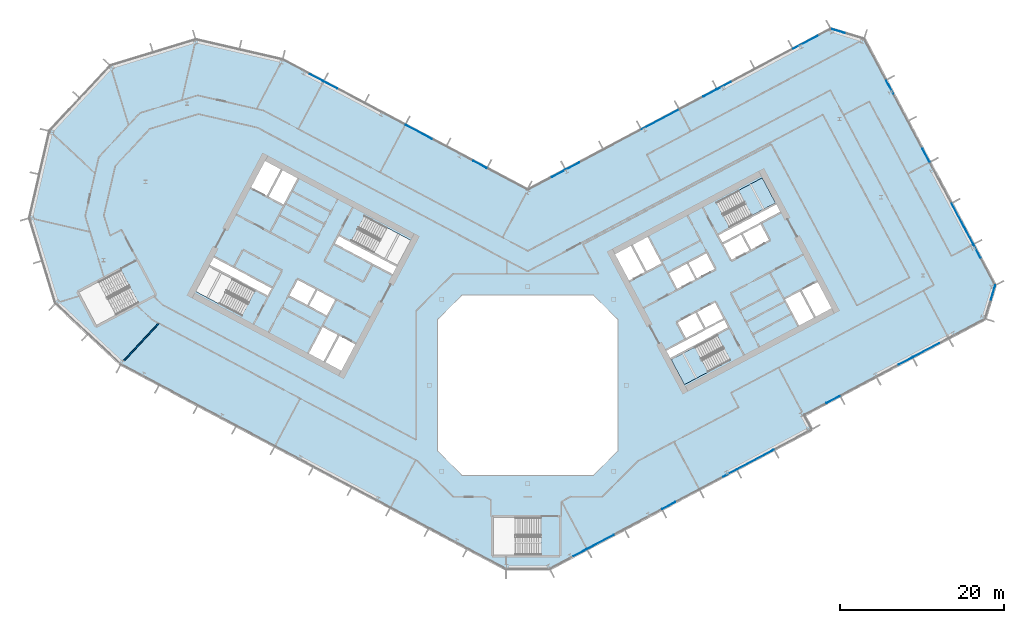
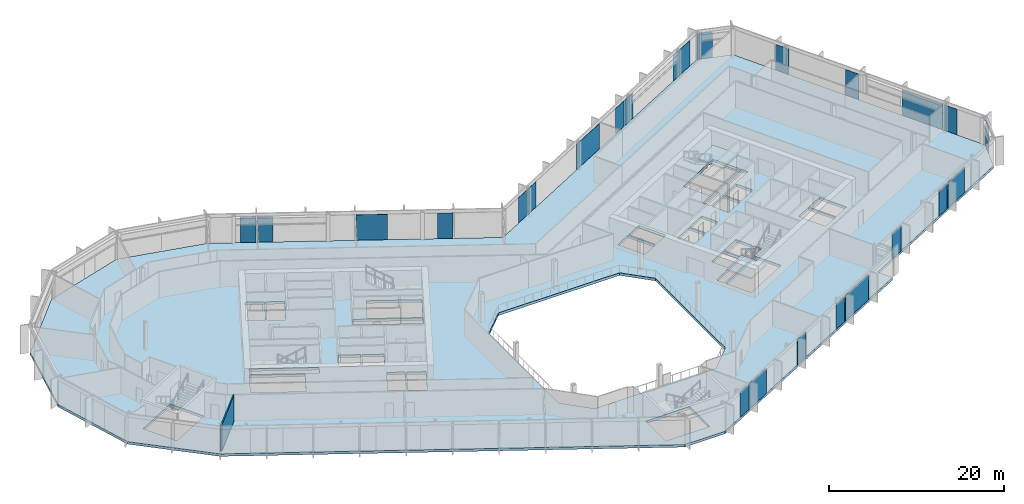
# One storey, part 12 of 28: 24 plates, 3 slabs, 1 wall, 9 elements without a shape of their own.
"""IFC4 building model written with IfcOpenShell, lengths in metres."""

import ifcopenshell
import ifcopenshell.guid

model = None  # the IFC model being written
_history = None  # IfcOwnerHistory: only IFC2X3 demands one
_inside = {}  # id of a spatial element -> (the spatial element, [elements in it])
_under = {}  # id of a project, library or spatial element -> (it, [spatial elements below it])
_declared = {}  # id of a project -> (the project, [libraries it declares])
_typed = {}  # id of a type object -> (the type object, [elements of that type])
_made_of = {}  # id of a material, layer set ... -> (it, [elements and type objects made of it])


def new_model(schema):
    """Start an empty IFC model of exactly this schema.

    Asked for "IFC4X3", IfcOpenShell would pick the latest addendum, in which some entities
    have other attributes; the version numbers below select the first issue.
    IFC2X3 requires an IfcOwnerHistory on every rooted entity: one is made here for all.
    """
    global model, _history
    if schema == "IFC4X3":
        model = ifcopenshell.file(schema_version=(4, 3, 0, 0))
    else:
        model = ifcopenshell.file(schema=schema)
    _inside.clear()
    _under.clear()
    _declared.clear()
    _typed.clear()
    _made_of.clear()
    _history = None
    if model.schema == "IFC2X3":
        org = make("IfcOrganization", Name="unknown")
        user = make(
            "IfcPersonAndOrganization",
            ThePerson=make("IfcPerson", FamilyName="unknown"),
            TheOrganization=org,
        )
        app = make(
            "IfcApplication",
            ApplicationDeveloper=org,
            Version="unknown",
            ApplicationFullName="unknown",
            ApplicationIdentifier="unknown",
        )
        _history = make(
            "IfcOwnerHistory",
            OwningUser=user,
            OwningApplication=app,
            ChangeAction="ADDED",
            CreationDate=0,
        )
    return model


def make(cls, **values):
    """One entity of the class cls with the attributes given. An attribute that is None is left unset."""
    return model.create_entity(
        cls, **{name: value for name, value in values.items() if value is not None}
    )


def rooted(cls, **values):
    """An entity with a GlobalId (a new one), such as an element, a storey or a relation."""
    return make(cls, GlobalId=ifcopenshell.guid.new(), OwnerHistory=_history, **values)


def si_unit(unit_type, name, prefix=None):
    """IfcSIUnit, for example si_unit("LENGTHUNIT", "METRE", prefix="MILLI")."""
    return make("IfcSIUnit", UnitType=unit_type, Prefix=prefix, Name=name)


def assignment(units):
    """IfcUnitAssignment: the units of a project."""
    return None if units is None else make("IfcUnitAssignment", Units=units)


def point(xyz):
    """IfcCartesianPoint."""
    return None if xyz is None else make("IfcCartesianPoint", Coordinates=xyz)


def direction(xyz):
    """IfcDirection."""
    return None if xyz is None else make("IfcDirection", DirectionRatios=xyz)


def frame(location, z_axis=None, x_axis=None):
    """IfcAxis2Placement3D, a coordinate frame: its origin and axes. An axis left out is left unset."""
    return make(
        "IfcAxis2Placement3D",
        Location=point(location),
        Axis=direction(z_axis),
        RefDirection=direction(x_axis),
    )


def frame_2d(location, x_axis=None):
    """IfcAxis2Placement2D, a coordinate frame in the plane: its origin and x axis."""
    return make(
        "IfcAxis2Placement2D", Location=point(location), RefDirection=direction(x_axis)
    )


def origin():
    """The frame at (0, 0, 0) with its axes left unset."""
    return frame((0.0, 0.0, 0.0))


def origin_2d():
    """The frame at (0, 0) in the plane with its x axis left unset."""
    return frame_2d((0.0, 0.0))


def place(relative_to, where):
    """IfcLocalPlacement: puts the frame where relative to a parent placement (None: the world)."""
    return make(
        "IfcLocalPlacement", PlacementRelTo=relative_to, RelativePlacement=where
    )


def context(
    kind, dimensions, precision=None, world=None, true_north=None, identifier=None
):
    """IfcGeometricRepresentationContext, for example the 3D "Model" context."""
    return make(
        "IfcGeometricRepresentationContext",
        ContextIdentifier=identifier,
        ContextType=kind,
        CoordinateSpaceDimension=dimensions,
        Precision=precision,
        WorldCoordinateSystem=world,
        TrueNorth=true_north,
    )


def subcontext(parent, identifier, kind, view, scale=None):
    """IfcGeometricRepresentationSubContext, for example "Body" below "Model"."""
    return make(
        "IfcGeometricRepresentationSubContext",
        ContextIdentifier=identifier,
        ContextType=kind,
        ParentContext=parent,
        TargetScale=scale,
        TargetView=view,
    )


def project(units=None, contexts=None):
    """IfcProject with its units and contexts."""
    return rooted(
        "IfcProject",
        Name="project",
        RepresentationContexts=contexts,
        UnitsInContext=assignment(units),
    )


def spatial(cls, under=None, at=None, **own):
    """A site, building, storey or space (cls), placed at a placement, below another one or the project."""
    s = rooted(cls, ObjectPlacement=at, **own)
    if under is not None:
        _under.setdefault(under.id(), (under, []))[1].append(s)
    return s


def polyline(points):
    """IfcPolyline through the points."""
    return make("IfcPolyline", Points=[point(p) for p in points])


def profile(cls, at=None, kind="AREA", **sizes):
    """A parametric profile (cls). Its sizes go by their IFC names, for example OverallWidth=200.0."""
    return make(cls, ProfileType=kind, Position=at, **sizes)


def rectangle(**sizes):
    """IfcRectangleProfileDef."""
    return profile("IfcRectangleProfileDef", **sizes)


def outline(outer, holes=None, kind="AREA"):
    """IfcArbitraryClosedProfileDef: a profile drawn as a closed curve; with holes, ...WithVoids."""
    if holes is None:
        return make("IfcArbitraryClosedProfileDef", ProfileType=kind, OuterCurve=outer)
    return make(
        "IfcArbitraryProfileDefWithVoids",
        ProfileType=kind,
        OuterCurve=outer,
        InnerCurves=holes,
    )


def extrude(swept, where, along, depth):
    """IfcExtrudedAreaSolid: the profile swept, set in the frame where, extruded along a direction by depth."""
    return make(
        "IfcExtrudedAreaSolid",
        SweptArea=swept,
        Position=where,
        ExtrudedDirection=direction(along),
        Depth=depth,
    )


def shape(context_of_items, identifier, shape_type, items):
    """IfcShapeRepresentation: the items that make up one representation, for example the "Body"."""
    return make(
        "IfcShapeRepresentation",
        ContextOfItems=context_of_items,
        RepresentationIdentifier=identifier,
        RepresentationType=shape_type,
        Items=items,
    )


def material(Name=None, Category=None):
    """IfcMaterial."""
    return make("IfcMaterial", Name=Name, Category=Category)


def layer(
    of_material, thickness, ventilated=None, Name=None, Category=None, Priority=None
):
    """IfcMaterialLayer: one layer of a wall or slab, of a material (None: an air gap)."""
    return make(
        "IfcMaterialLayer",
        Material=of_material,
        LayerThickness=thickness,
        IsVentilated=ventilated,
        Name=Name,
        Category=Category,
        Priority=Priority,
    )


def layer_set(layers, Name=None):
    """IfcMaterialLayerSet."""
    return make("IfcMaterialLayerSet", MaterialLayers=layers, LayerSetName=Name)


def made_of(thing, what):
    """Note that an element or type object is made of a material, layer set ...; save() writes the relation."""
    if what is not None:
        _made_of.setdefault(what.id(), (what, []))[1].append(thing)
    return thing


def type_object(cls, material=None, **own):
    """A type object (cls), such as IfcWallType, which elements share."""
    return made_of(rooted(cls, **own), material)


def element(
    cls,
    number,
    at=None,
    inside=None,
    cuts=None,
    type_object=None,
    material=None,
    context=None,
    identifier="Body",
    shape_type=None,
    held_by="IfcProductDefinitionShape",
    body=None,
    shapes=None,
    **own,
):
    """One element of the class cls, such as IfcWall. Its Tag is "e" and its number.

    at: its placement. inside: the storey or other place that contains it. cuts: it is an
    opening in that element (IfcRelVoidsElement). A single representation is given by context,
    identifier, shape_type and body (its items); several are given by shapes. held_by: the class
    of the entity that holds the representations. save() writes the other relations.
    """
    e = rooted(cls, Tag="e%d" % number, ObjectPlacement=at, **own)
    if body is not None:
        shapes = [shape(context, identifier, shape_type, body)]
    if shapes is not None:
        e.Representation = make(held_by, Representations=shapes)
    if inside is not None:
        _inside.setdefault(inside.id(), (inside, []))[1].append(e)
    if cuts is not None:
        rooted(
            "IfcRelVoidsElement", RelatingBuildingElement=cuts, RelatedOpeningElement=e
        )
    if type_object is not None:
        _typed.setdefault(type_object.id(), (type_object, []))[1].append(e)
    return made_of(e, material)


def aggregate(whole, parts):
    """IfcRelAggregates: a whole, such as a stair, and the parts it consists of."""
    return rooted("IfcRelAggregates", RelatingObject=whole, RelatedObjects=parts)


def save(model, path):
    """Write the relations noted so far, then the file.

    IfcRelAggregates (storeys below a building ...), IfcRelContainedInSpatialStructure (elements
    in a storey), IfcRelDefinesByType, IfcRelAssociatesMaterial and IfcRelDeclares: one each for
    every whole, place, type object, material and project.
    """
    for whole, parts in _under.values():
        aggregate(whole, parts)
    for where, things in _inside.values():
        rooted(
            "IfcRelContainedInSpatialStructure",
            RelatedElements=things,
            RelatingStructure=where,
        )
    for kind, things in _typed.values():
        rooted("IfcRelDefinesByType", RelatedObjects=things, RelatingType=kind)
    for what, things in _made_of.values():
        rooted("IfcRelAssociatesMaterial", RelatedObjects=things, RelatingMaterial=what)
    for by, libraries in _declared.values():
        rooted("IfcRelDeclares", RelatingContext=by, RelatedDefinitions=libraries)
    model.write(path)


model = new_model("IFC4")

# Units and contexts
model_context = context("Model", 3, precision=1e-05, world=origin(), true_north=direction((0.0, 1.0)))
body_context = subcontext(model_context, "Body", "Model", "MODEL_VIEW")
ifc_project = project(units=[si_unit("LENGTHUNIT", "METRE"), si_unit("AREAUNIT", "SQUARE_METRE"), si_unit("VOLUMEUNIT", "CUBIC_METRE"), si_unit("PLANEANGLEUNIT", "RADIAN"), si_unit("MASSUNIT", "GRAM", prefix="KILO")], contexts=[model_context])

# Site, building, storey
site_placement = place(None, origin())
site = spatial("IfcSite", under=ifc_project, at=site_placement, CompositionType="ELEMENT")
building_placement = place(site_placement, origin())
building = spatial("IfcBuilding", under=site, at=building_placement, Name="Cormorant Relay Tower", CompositionType="ELEMENT")
storey_placement = place(building_placement, frame((0.0, 0.0, 154.199951171875)))
storey = spatial("IfcBuildingStorey", under=building, at=storey_placement, Name="L32", CompositionType="ELEMENT", Elevation=154.199951171875)

# Curtain wall, plates
ifc_material_1 = material(Name="Aluminium 6063-T6 anodised bronze", Category="aluminium")
ifc_layer_1 = layer(ifc_material_1, 0.199951171875)
ifc_layer_set_1 = layer_set([ifc_layer_1], Name="CW1 unitised bronze curtain wall with vertical fins")
curtain_wall_type = type_object("IfcCurtainWallType", Name="CW1 unitised bronze curtain wall with vertical fins", PredefinedType="NOTDEFINED", material=ifc_layer_set_1)
curtain_wall_1_placement = place(storey_placement, origin())
curtain_wall_1 = element("IfcCurtainWall", 1, at=curtain_wall_1_placement, inside=storey, type_object=curtain_wall_type, Name="CW1 curtain wall 2", PredefinedType="NOTDEFINED")
ifc_material_2 = material(Name="Tinted laminated glass", Category="glass")
ifc_layer_2 = layer(ifc_material_2, 0.0400390625)
ifc_layer_set_2 = layer_set([ifc_layer_2], Name="CW1 tinted vision panel 1800 module")
plate_type_1 = type_object("IfcPlateType", Name="CW1 tinted vision panel 1800 module", PredefinedType="CURTAIN_PANEL", material=ifc_layer_set_2)
plate_1_placement = place(storey_placement, frame((6.359130859375, -20.42529296875, 0.0), z_axis=(0.0, 0.0, 1.0), x_axis=(0.882947592859, 0.469471562786, 0.0)))
plate_1 = element("IfcPlate", 2, at=plate_1_placement, type_object=plate_type_1, Name="CW1 panel V01", PredefinedType="CURTAIN_PANEL", context=body_context, shape_type="SweptSolid", body=[
    extrude(rectangle(XDim=1.800048828125, YDim=0.0400390625, at=origin_2d()), origin(), (0.0, 0.0, 1.0), 3.550048828125),
])
plate_2_placement = place(storey_placement, frame((17.20458984375, -14.65869140625, 0.0), z_axis=(0.0, 0.0, 1.0), x_axis=(0.882947592859, 0.469471562786, 0.0)))
plate_2 = element("IfcPlate", 3, at=plate_2_placement, type_object=plate_type_1, Name="CW1 panel V04", PredefinedType="CURTAIN_PANEL", context=body_context, shape_type="SweptSolid", body=[
    extrude(rectangle(XDim=1.800048828125, YDim=0.0400390625, at=origin_2d()), origin(), (0.0, 0.0, 1.0), 3.550048828125),
])
plate_3_placement = place(storey_placement, frame((24.6064453125, -10.72314453125, 0.0), z_axis=(0.0, 0.0, 1.0), x_axis=(0.882947592859, 0.469471562786, 0.0)))
plate_3 = element("IfcPlate", 4, at=plate_3_placement, type_object=plate_type_1, Name="CW1 panel V06", PredefinedType="CURTAIN_PANEL", context=body_context, shape_type="SweptSolid", body=[
    extrude(rectangle(XDim=1.800048828125, YDim=0.0400390625, at=origin_2d()), origin(), (0.0, 0.0, 1.0), 3.550048828125),
])

curtain_wall_2_placement = place(storey_placement, origin())
curtain_wall_2 = element("IfcCurtainWall", 5, at=curtain_wall_2_placement, inside=storey, type_object=curtain_wall_type, Name="CW1 curtain wall 4", PredefinedType="NOTDEFINED")
plate_4_placement = place(storey_placement, frame((37.205810546875, -1.7587890625, 0.0), z_axis=(0.0, 0.0, 1.0), x_axis=(0.882947592859, 0.469471562786, 0.0)))
plate_4 = element("IfcPlate", 6, at=plate_4_placement, type_object=plate_type_1, Name="CW1 panel V01", PredefinedType="CURTAIN_PANEL", context=body_context, shape_type="SweptSolid", body=[
    extrude(rectangle(XDim=1.800048828125, YDim=0.0400390625, at=origin_2d()), origin(), (0.0, 0.0, 1.0), 3.550048828125),
])
plate_5_placement = place(storey_placement, frame((46.03515625, 2.935791015625, 0.0), z_axis=(0.0, 0.0, 1.0), x_axis=(0.882947592859, 0.469471562786, 0.0)))
plate_5 = element("IfcPlate", 7, at=plate_5_placement, type_object=plate_type_1, Name="CW1 panel V03", PredefinedType="CURTAIN_PANEL", context=body_context, shape_type="SweptSolid", body=[
    extrude(rectangle(XDim=1.800048828125, YDim=0.0400390625, at=origin_2d()), origin(), (0.0, 0.0, 1.0), 3.550048828125),
])

# Curtain wall, plate
curtain_wall_3_placement = place(storey_placement, origin())
curtain_wall_3 = element("IfcCurtainWall", 8, at=curtain_wall_3_placement, inside=storey, type_object=curtain_wall_type, Name="CW1 curtain wall 5", PredefinedType="NOTDEFINED")
plate_6_placement = place(storey_placement, frame((56.712646484375, 11.296630859375, 0.0), z_axis=(0.0, 0.0, 1.0), x_axis=(0.292371704723, 0.956304755963, 0.0)))
plate_6 = element("IfcPlate", 9, at=plate_6_placement, type_object=plate_type_1, Name="CW1 panel V01", PredefinedType="CURTAIN_PANEL", context=body_context, shape_type="SweptSolid", body=[
    extrude(rectangle(XDim=1.800048828125, YDim=0.0400390625, at=origin_2d()), origin(), (0.0, 0.0, 1.0), 3.550048828125),
])
aggregate(curtain_wall_3, [plate_6])

# Curtain wall, plates
curtain_wall_4_placement = place(storey_placement, origin())
curtain_wall_4 = element("IfcCurtainWall", 10, at=curtain_wall_4_placement, inside=storey, type_object=curtain_wall_type, Name="CW1 curtain wall 6", PredefinedType="NOTDEFINED")
plate_7_placement = place(storey_placement, frame((54.771728515625, 16.315185546875, 0.0), z_axis=(0.0, 0.0, 1.0), x_axis=(-0.469471562786, 0.882947592859, 0.0)))
plate_7 = element("IfcPlate", 11, at=plate_7_placement, type_object=plate_type_1, Name="CW1 panel V01", PredefinedType="CURTAIN_PANEL", context=body_context, shape_type="SweptSolid", body=[
    extrude(rectangle(XDim=1.800048828125, YDim=0.0400390625, at=origin_2d()), origin(), (0.0, 0.0, 1.0), 3.550048828125),
])
plate_8_placement = place(storey_placement, frame((48.535400390625, 28.043701171875, 0.0), z_axis=(0.0, 0.0, 1.0), x_axis=(-0.469471562786, 0.882947592859, 0.0)))
plate_8 = element("IfcPlate", 12, at=plate_8_placement, type_object=plate_type_1, Name="CW1 panel V04", PredefinedType="CURTAIN_PANEL", context=body_context, shape_type="SweptSolid", body=[
    extrude(rectangle(XDim=1.800048828125, YDim=0.0400390625, at=origin_2d()), origin(), (0.0, 0.0, 1.0), 3.550048828125),
])
plate_9_placement = place(storey_placement, frame((44.13037109375, 36.32861328125, 0.0), z_axis=(0.0, 0.0, 1.0), x_axis=(-0.469471562786, 0.882947592859, 0.0)))
plate_9 = element("IfcPlate", 13, at=plate_9_placement, type_object=plate_type_1, Name="CW1 panel V06", PredefinedType="CURTAIN_PANEL", context=body_context, shape_type="SweptSolid", body=[
    extrude(rectangle(XDim=1.800048828125, YDim=0.0400390625, at=origin_2d()), origin(), (0.0, 0.0, 1.0), 3.550048828125),
])

# Curtain wall, plate
curtain_wall_5_placement = place(storey_placement, origin())
curtain_wall_5 = element("IfcCurtainWall", 14, at=curtain_wall_5_placement, inside=storey, type_object=curtain_wall_type, Name="CW1 curtain wall 7", PredefinedType="NOTDEFINED")
plate_10_placement = place(storey_placement, frame((37.8037109375, 43.179931640625, 0.0), z_axis=(0.0, 0.0, 1.0), x_axis=(-0.956304755963, 0.292371704723, 0.0)))
plate_10 = element("IfcPlate", 15, at=plate_10_placement, type_object=plate_type_1, Name="CW1 panel V01", PredefinedType="CURTAIN_PANEL", context=body_context, shape_type="SweptSolid", body=[
    extrude(rectangle(XDim=1.800048828125, YDim=0.0400390625, at=origin_2d()), origin(), (0.0, 0.0, 1.0), 3.550048828125),
])
aggregate(curtain_wall_5, [plate_10])

# Curtain wall, plates
curtain_wall_6_placement = place(storey_placement, origin())
curtain_wall_6 = element("IfcCurtainWall", 16, at=curtain_wall_6_placement, inside=storey, type_object=curtain_wall_type, Name="CW1 curtain wall 8", PredefinedType="NOTDEFINED")
plate_11_placement = place(storey_placement, frame((23.937255859375, 36.5341796875, 0.0), z_axis=(0.0, 0.0, 1.0), x_axis=(-0.882947592859, -0.469471562786, 0.0)))
plate_11 = element("IfcPlate", 17, at=plate_11_placement, type_object=plate_type_1, Name="CW1 panel V03", PredefinedType="CURTAIN_PANEL", context=body_context, shape_type="SweptSolid", body=[
    extrude(rectangle(XDim=1.800048828125, YDim=0.0400390625, at=origin_2d()), origin(), (0.0, 0.0, 1.0), 3.550048828125),
])
plate_12_placement = place(storey_placement, frame((22.215576171875, 35.618896484375, 0.0), z_axis=(0.0, 0.0, 1.0), x_axis=(-0.882947592859, -0.469471562786, 0.0)))
plate_12 = element("IfcPlate", 18, at=plate_12_placement, type_object=plate_type_1, Name="CW1 panel V04", PredefinedType="CURTAIN_PANEL", context=body_context, shape_type="SweptSolid", body=[
    extrude(rectangle(XDim=1.800048828125, YDim=0.0400390625, at=origin_2d()), origin(), (0.0, 0.0, 1.0), 3.550048828125),
])
plate_13_placement = place(storey_placement, frame((5.468505859375, 26.71435546875, 0.0), z_axis=(0.0, 0.0, 1.0), x_axis=(-0.882947592859, -0.469471562786, 0.0)))
plate_13 = element("IfcPlate", 19, at=plate_13_placement, type_object=plate_type_1, Name="CW1 panel V08", PredefinedType="CURTAIN_PANEL", context=body_context, shape_type="SweptSolid", body=[
    extrude(rectangle(XDim=1.800048828125, YDim=0.0400390625, at=origin_2d()), origin(), (0.0, 0.0, 1.0), 3.550048828125),
])
plate_14_placement = place(storey_placement, frame((3.746826171875, 25.798828125, 0.0), z_axis=(0.0, 0.0, 1.0), x_axis=(-0.882947592859, -0.469471562786, 0.0)))
plate_14 = element("IfcPlate", 20, at=plate_14_placement, type_object=plate_type_1, Name="CW1 panel V09", PredefinedType="CURTAIN_PANEL", context=body_context, shape_type="SweptSolid", body=[
    extrude(rectangle(XDim=1.800048828125, YDim=0.0400390625, at=origin_2d()), origin(), (0.0, 0.0, 1.0), 3.550048828125),
])

curtain_wall_7_placement = place(storey_placement, origin())
curtain_wall_7 = element("IfcCurtainWall", 21, at=curtain_wall_7_placement, inside=storey, type_object=curtain_wall_type, Name="CW1 curtain wall 9", PredefinedType="NOTDEFINED")
plate_15_placement = place(storey_placement, frame((-5.830322265625, 26.90673828125, 0.0), z_axis=(0.0, 0.0, 1.0), x_axis=(-0.882947592859, 0.469471562786, 0.0)))
plate_15 = element("IfcPlate", 22, at=plate_15_placement, type_object=plate_type_1, Name="CW1 panel V01", PredefinedType="CURTAIN_PANEL", context=body_context, shape_type="SweptSolid", body=[
    extrude(rectangle(XDim=1.800048828125, YDim=0.0400390625, at=origin_2d()), origin(), (0.0, 0.0, 1.0), 3.550048828125),
])
plate_16_placement = place(storey_placement, frame((-24.0244140625, 36.580810546875, 0.0), z_axis=(0.0, 0.0, 1.0), x_axis=(-0.882947592859, 0.469471562786, 0.0)))
plate_16 = element("IfcPlate", 23, at=plate_16_placement, type_object=plate_type_1, Name="CW1 panel V05", PredefinedType="CURTAIN_PANEL", context=body_context, shape_type="SweptSolid", body=[
    extrude(rectangle(XDim=1.800048828125, YDim=0.0400390625, at=origin_2d()), origin(), (0.0, 0.0, 1.0), 3.550048828125),
])
plate_17_placement = place(storey_placement, frame((-25.746337890625, 37.49609375, 0.0), z_axis=(0.0, 0.0, 1.0), x_axis=(-0.882947592859, 0.469471562786, 0.0)))
plate_17 = element("IfcPlate", 24, at=plate_17_placement, type_object=plate_type_1, Name="CW1 panel V06", PredefinedType="CURTAIN_PANEL", context=body_context, shape_type="SweptSolid", body=[
    extrude(rectangle(XDim=1.800048828125, YDim=0.0400390625, at=origin_2d()), origin(), (0.0, 0.0, 1.0), 3.550048828125),
])

# Plate
ifc_material_3 = material(Name="Tinted laminated glass", Category="glass")
ifc_layer_3 = layer(ifc_material_3, 0.0400390625)
ifc_layer_set_3 = layer_set([ifc_layer_3], Name="CW1 tinted vision panel 3600 module")
plate_type_2 = type_object("IfcPlateType", Name="CW1 tinted vision panel 3600 module", PredefinedType="CURTAIN_PANEL", material=ifc_layer_set_3)
plate_18_placement = place(storey_placement, frame((8.87548828125, -19.08740234375, 0.0), z_axis=(0.0, 0.0, 1.0), x_axis=(0.882947592859, 0.469471562786, 0.0)))
plate_18 = element("IfcPlate", 25, at=plate_18_placement, type_object=plate_type_2, Name="CW1 panel V02", PredefinedType="CURTAIN_PANEL", context=body_context, shape_type="SweptSolid", body=[
    extrude(rectangle(XDim=3.60009765625, YDim=0.0400390625, at=origin_2d()), origin(), (0.0, 0.0, 1.0), 3.550048828125),
])

plate_19_placement = place(storey_placement, frame((48.551513671875, 4.27392578125, 0.0), z_axis=(0.0, 0.0, 1.0), x_axis=(0.882947592859, 0.469471562786, 0.0)))
plate_19 = element("IfcPlate", 26, at=plate_19_placement, type_object=plate_type_2, Name="CW1 panel V04", PredefinedType="CURTAIN_PANEL", context=body_context, shape_type="SweptSolid", body=[
    extrude(rectangle(XDim=3.60009765625, YDim=0.0400390625, at=origin_2d()), origin(), (0.0, 0.0, 1.0), 3.550048828125),
])

aggregate(curtain_wall_2, [plate_4, plate_5, plate_19])

plate_20_placement = place(storey_placement, frame((33.96630859375, 41.86669921875, 0.0), z_axis=(0.0, 0.0, 1.0), x_axis=(-0.882947592859, -0.469471562786, 0.0)))
plate_20 = element("IfcPlate", 27, at=plate_20_placement, type_object=plate_type_2, Name="CW1 panel V01", PredefinedType="CURTAIN_PANEL", context=body_context, shape_type="SweptSolid", body=[
    extrude(rectangle(XDim=3.60009765625, YDim=0.0400390625, at=origin_2d()), origin(), (0.0, 0.0, 1.0), 3.550048828125),
])

plate_21_placement = place(storey_placement, frame((-13.27197265625, 30.86328125, 0.0), z_axis=(0.0, 0.0, 1.0), x_axis=(-0.882947592859, 0.469471562786, 0.0)))
plate_21 = element("IfcPlate", 28, at=plate_21_placement, type_object=plate_type_2, Name="CW1 panel V03", PredefinedType="CURTAIN_PANEL", context=body_context, shape_type="SweptSolid", body=[
    extrude(rectangle(XDim=3.60009765625, YDim=0.0400390625, at=origin_2d()), origin(), (0.0, 0.0, 1.0), 3.550048828125),
])

aggregate(curtain_wall_7, [plate_15, plate_21, plate_16, plate_17])

ifc_material_4 = material(Name="Tinted laminated glass", Category="glass")
ifc_layer_4 = layer(ifc_material_4, 0.0400390625)
ifc_layer_set_4 = layer_set([ifc_layer_4], Name="CW1 tinted vision panel 5400 module")
plate_type_3 = type_object("IfcPlateType", Name="CW1 tinted vision panel 5400 module", PredefinedType="CURTAIN_PANEL", material=ifc_layer_set_4)
plate_22_placement = place(storey_placement, frame((27.748046875, -9.052734375, 0.0), z_axis=(0.0, 0.0, 1.0), x_axis=(0.882947592859, 0.469471562786, 0.0)))
plate_22 = element("IfcPlate", 29, at=plate_22_placement, type_object=plate_type_3, Name="CW1 panel V07", PredefinedType="CURTAIN_PANEL", context=body_context, shape_type="SweptSolid", body=[
    extrude(rectangle(XDim=5.0166015625, YDim=0.0400390625, at=origin_2d()), origin(), (0.0, 0.0, 1.0), 3.550048828125),
])

aggregate(curtain_wall_1, [plate_1, plate_18, plate_2, plate_3, plate_22])

plate_23_placement = place(storey_placement, frame((52.98388671875, 19.677734375, 0.0), z_axis=(0.0, 0.0, 1.0), x_axis=(-0.469471562786, 0.882947592859, 0.0)))
plate_23 = element("IfcPlate", 30, at=plate_23_placement, type_object=plate_type_3, Name="CW1 panel V02", PredefinedType="CURTAIN_PANEL", context=body_context, shape_type="SweptSolid", body=[
    extrude(rectangle(XDim=5.5166015625, YDim=0.0400390625, at=origin_2d()), origin(), (0.0, 0.0, 1.0), 3.550048828125),
])

aggregate(curtain_wall_4, [plate_7, plate_23, plate_8, plate_9])

plate_24_placement = place(storey_placement, frame((16.150634765625, 32.39404296875, 0.0), z_axis=(0.0, 0.0, 1.0), x_axis=(-0.882947592859, -0.469471562786, 0.0)))
plate_24 = element("IfcPlate", 31, at=plate_24_placement, type_object=plate_type_3, Name="CW1 panel V06", PredefinedType="CURTAIN_PANEL", context=body_context, shape_type="SweptSolid", body=[
    extrude(rectangle(XDim=5.079345703125, YDim=0.0400390625, at=origin_2d()), origin(), (0.0, 0.0, 1.0), 3.550048828125),
])

aggregate(curtain_wall_6, [plate_20, plate_11, plate_12, plate_24, plate_13, plate_14])

# Stair, slab
ifc_material_5 = material(Name="Concrete 40 MPa", Category="concrete")
stair_type = type_object("IfcStairType", Name="Exit stair 1500", PredefinedType="HALF_TURN_STAIR", material=ifc_material_5)
stair_1_placement = place(storey_placement, origin())
stair_1 = element("IfcStair", 32, at=stair_1_placement, inside=storey, type_object=stair_type, Name="L32 Stair", PredefinedType="HALF_TURN_STAIR")
ifc_material_6 = material(Name="Concrete 40 MPa", Category="concrete")
ifc_layer_5 = layer(ifc_material_6, 0.199951171875)
ifc_layer_set_5 = layer_set([ifc_layer_5], Name="Exit stair landing 200")
slab_type_1 = type_object("IfcSlabType", Name="Exit stair landing 200", PredefinedType="LANDING", material=ifc_layer_set_5)
slab_1_placement = place(storey_placement, frame((0.0, 0.0, 1.800048828125)))
slab_1 = element("IfcSlab", 33, at=slab_1_placement, type_object=slab_type_1, Name="B1 landing 1", PredefinedType="LANDING", context=body_context, shape_type="SweptSolid", body=[
    extrude(outline(polyline([(20.36767578125, 4.6572265625), (17.48046875, 3.1220703125), (19.10009765625, 0.075927734375), (21.9873046875, 1.611083984375), (20.36767578125, 4.6572265625)])), origin(), (0.0, 0.0, 1.0), 0.199951171875),
])
aggregate(stair_1, [slab_1])

stair_2_placement = place(storey_placement, origin())
stair_2 = element("IfcStair", 34, at=stair_2_placement, inside=storey, type_object=stair_type, Name="L32 Stair", PredefinedType="HALF_TURN_STAIR")
slab_2_placement = place(storey_placement, frame((0.0, 0.0, 1.800048828125)))
slab_2 = element("IfcSlab", 35, at=slab_2_placement, type_object=slab_type_1, Name="B2 landing 1", PredefinedType="LANDING", context=body_context, shape_type="SweptSolid", body=[
    extrude(outline(polyline([(27.3115234375, 20.6943359375), (30.19873046875, 22.2294921875), (28.5791015625, 25.275634765625), (25.69189453125, 23.740478515625), (27.3115234375, 20.6943359375)])), origin(), (0.0, 0.0, 1.0), 0.199951171875),
])
aggregate(stair_2, [slab_2])

# Slab
ifc_material_7 = material(Name="Concrete 40 MPa", Category="concrete")
ifc_layer_6 = layer(ifc_material_7, 0.360107421875)
ifc_layer_set_6 = layer_set([ifc_layer_6], Name="Flat plate 360")
slab_type_2 = type_object("IfcSlabType", Name="Flat plate 360", PredefinedType="FLOOR", material=ifc_layer_set_6)
slab_3_placement = place(storey_placement, frame((0.0, 0.0, -0.35986328125)))
element("IfcSlab", 36, at=slab_3_placement, inside=storey, type_object=slab_type_2, Name="Floor slab L32", PredefinedType="FLOOR", context=body_context, shape_type="SweptSolid", body=[
    extrude(outline(polyline([(-60.7197265625, 20.393310546875), (-58.2744140625, 30.985107421875), (-50.86083984375, 38.935302734375), (-40.465576171875, 42.11328125), (-29.873779296875, 39.668212890625), (0.0, 23.783935546875), (36.937255859375, 43.423828125), (40.99462890625, 42.18359375), (56.95654296875, 12.1630859375), (55.71630859375, 8.10595703125), (33.642578125, -3.630859375), (34.581298828125, -5.396728515625), (2.648681640625, -22.37548828125), (-2.648681640625, -22.37548828125), (-49.591552734375, 2.584228515625), (-57.541748046875, 9.997802734375), (-60.7197265625, 20.393310546875)]), holes=[polyline([(11.0, -8.0), (11.0, 8.0), (8.0, 11.0), (-8.0, 11.0), (-11.0, 8.0), (-11.0, -8.0), (-8.0, -11.0), (8.0, -11.0), (11.0, -8.0)]), polyline([(-4.199951171875, -16.125), (-4.199951171875, -20.675048828125), (1.60009765625, -20.675048828125), (1.60009765625, -16.125), (-4.199951171875, -16.125)]), polyline([(-22.95458984375, 6.03271484375), (-24.668212890625, 2.81005859375), (-22.725830078125, 1.777099609375), (-21.01220703125, 5.0), (-23.04296875, 6.07958984375), (-22.95458984375, 6.03271484375)]), polyline([(-24.985595703125, 7.112548828125), (-26.69921875, 3.889892578125), (-24.844970703125, 2.90380859375), (-23.13134765625, 6.126708984375), (-23.04296875, 6.07958984375), (-24.985595703125, 7.112548828125)]), polyline([(-26.688720703125, 9.660400390625), (-24.481201171875, 8.48681640625), (-23.448486328125, 10.42919921875), (-25.656005859375, 11.602783203125), (-26.688720703125, 9.660400390625)]), polyline([(-49.57861328125, 14.0537109375), (-54.69970703125, 11.330810546875), (-52.563720703125, 7.3134765625), (-47.442626953125, 10.036376953125), (-49.57861328125, 14.0537109375)]), polyline([(-28.039794921875, 12.870361328125), (-29.07275390625, 10.927978515625), (-26.865234375, 9.75439453125), (-25.83251953125, 11.69677734375), (-28.039794921875, 12.870361328125)]), polyline([(-38.847900390625, 14.483154296875), (-40.46728515625, 11.43701171875), (-34.860595703125, 8.455810546875), (-33.240966796875, 11.502197265625), (-38.847900390625, 14.483154296875)]), polyline([(-38.260986328125, 15.5869140625), (-38.75390625, 14.659912109375), (-31.690185546875, 10.904052734375), (-31.197265625, 11.8310546875), (-38.260986328125, 15.5869140625)]), polyline([(14.3056640625, 13.779052734375), (12.592041015625, 17.001708984375), (10.649658203125, 15.968994140625), (12.36328125, 12.74609375), (14.39404296875, 13.825927734375), (14.3056640625, 13.779052734375)]), polyline([(16.33642578125, 14.85888671875), (14.622802734375, 18.08154296875), (12.768798828125, 17.095703125), (14.482421875, 13.872802734375), (14.39404296875, 13.825927734375), (16.33642578125, 14.85888671875)]), polyline([(-16.481689453125, 13.520263671875), (-15.989013671875, 14.447509765625), (-23.052490234375, 18.203125), (-23.54541015625, 17.276123046875), (-16.481689453125, 13.520263671875)]), polyline([(-21.501708984375, 17.605224609375), (-15.89501953125, 14.6240234375), (-14.275390625, 17.670166015625), (-19.882080078125, 20.6513671875), (-21.501708984375, 17.605224609375)]), polyline([(-31.611572265625, 22.980712890625), (-29.75732421875, 21.99462890625), (-28.043701171875, 25.217529296875), (-29.89794921875, 26.203369140625), (-31.611572265625, 22.980712890625)]), polyline([(-32.01708984375, 27.330078125), (-33.73046875, 24.107421875), (-31.7880859375, 23.074462890625), (-30.074462890625, 26.29736328125), (-32.01708984375, 27.330078125)]), polyline([(17.48046875, 3.1220703125), (19.10009765625, 0.07568359375), (24.706787109375, 3.056884765625), (23.087158203125, 6.10302734375), (17.48046875, 3.1220703125)]), polyline([(16.8935546875, 4.2255859375), (17.386474609375, 3.298583984375), (24.4501953125, 7.054443359375), (23.957275390625, 7.9814453125), (16.8935546875, 4.2255859375)]), polyline([(20.446533203125, 8.8330078125), (18.239013671875, 7.6591796875), (19.27197265625, 5.716796875), (21.479248046875, 6.890380859375), (20.446533203125, 8.8330078125)]), polyline([(20.623046875, 8.927001953125), (21.656005859375, 6.984375), (23.86328125, 8.158203125), (22.830322265625, 10.1005859375), (20.623046875, 8.927001953125)]), polyline([(33.197021484375, 11.478515625), (31.3427734375, 10.49267578125), (33.056396484375, 7.27001953125), (34.910400390625, 8.255859375), (33.197021484375, 11.478515625)]), polyline([(33.37353515625, 11.572509765625), (35.087158203125, 8.349609375), (37.029541015625, 9.382568359375), (35.31591796875, 12.605224609375), (33.37353515625, 11.572509765625)]), polyline([(19.401123046875, 14.84619140625), (17.19384765625, 13.67236328125), (18.2265625, 11.72998046875), (20.43408203125, 12.903564453125), (19.401123046875, 14.84619140625)]), polyline([(22.81787109375, 14.171142578125), (21.78515625, 16.113525390625), (19.57763671875, 14.93994140625), (20.610595703125, 12.99755859375), (22.81787109375, 14.171142578125)]), polyline([(26.023193359375, 18.3671875), (23.81591796875, 17.193359375), (24.8486328125, 15.2509765625), (27.05615234375, 16.424560546875), (26.023193359375, 18.3671875)]), polyline([(29.440185546875, 17.692138671875), (28.4072265625, 19.634765625), (26.19970703125, 18.4609375), (27.232666015625, 16.5185546875), (29.440185546875, 17.692138671875)]), polyline([(30.78564453125, 21.125732421875), (30.29248046875, 22.052978515625), (23.22900390625, 18.297119140625), (23.721923828125, 17.3701171875), (30.78564453125, 21.125732421875)]), polyline([(24.592041015625, 19.248291015625), (30.19873046875, 22.2294921875), (28.5791015625, 25.275634765625), (22.972412109375, 22.29443359375), (24.592041015625, 19.248291015625)])]), origin(), (0.0, 0.0, 1.0), 0.35986328125),
])

# Wall
ifc_material_8 = material(Name="Gypsum board partition")
ifc_layer_7 = layer(ifc_material_8, 0.14990234375)
ifc_layer_set_7 = layer_set([ifc_layer_7], Name="Tenant partition 150")
wall_type = type_object("IfcWallType", Name="Tenant partition 150", PredefinedType="PARTITIONING", material=ifc_layer_set_7)
wall_placement = place(storey_placement, frame((-44.967041015625, 7.5439453125, 0.0), z_axis=(0.0, 0.0, 1.0), x_axis=(-0.681977908196, -0.731372772759, 0.0)))
element("IfcWall", 37, at=wall_placement, inside=storey, type_object=wall_type, Name="wall/L32/part/011", PredefinedType="PARTITIONING", context=body_context, shape_type="SweptSolid", body=[
    extrude(rectangle(XDim=6.237548828125, YDim=0.14990234375, at=frame_2d((3.11865234375, 0.0))), origin(), (0.0, 0.0, 1.0), 3.64013671875),
])

save(model, "model.ifc")
